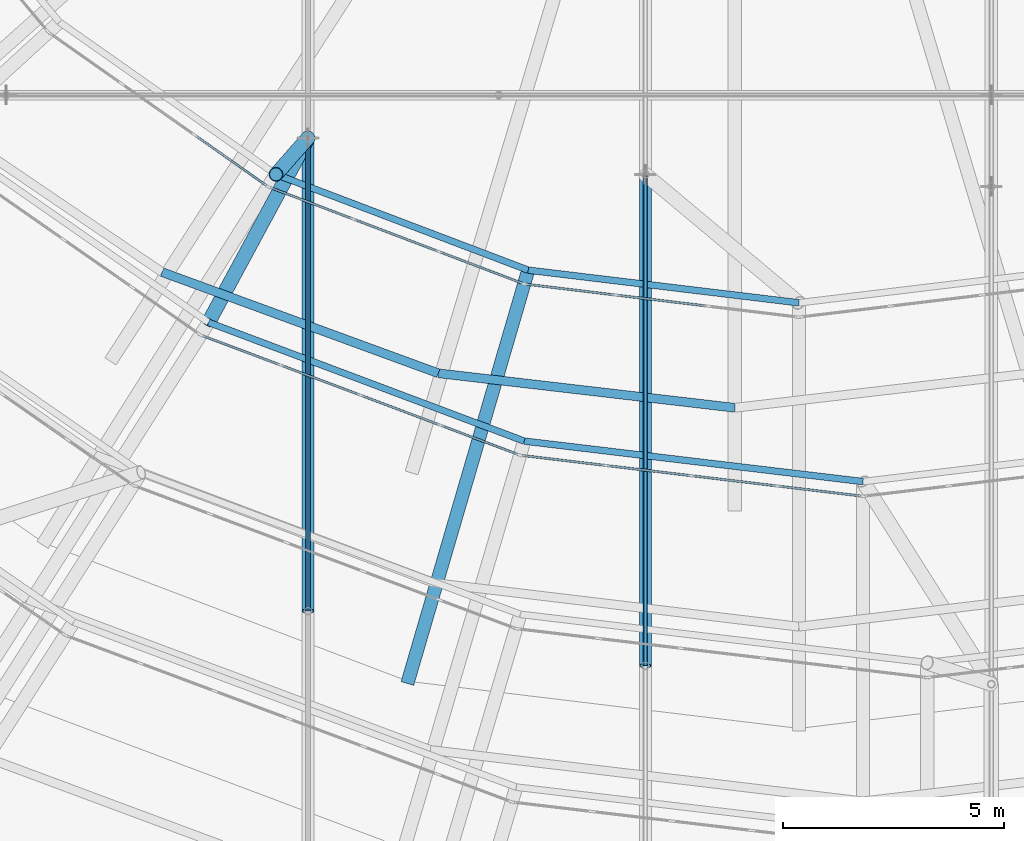
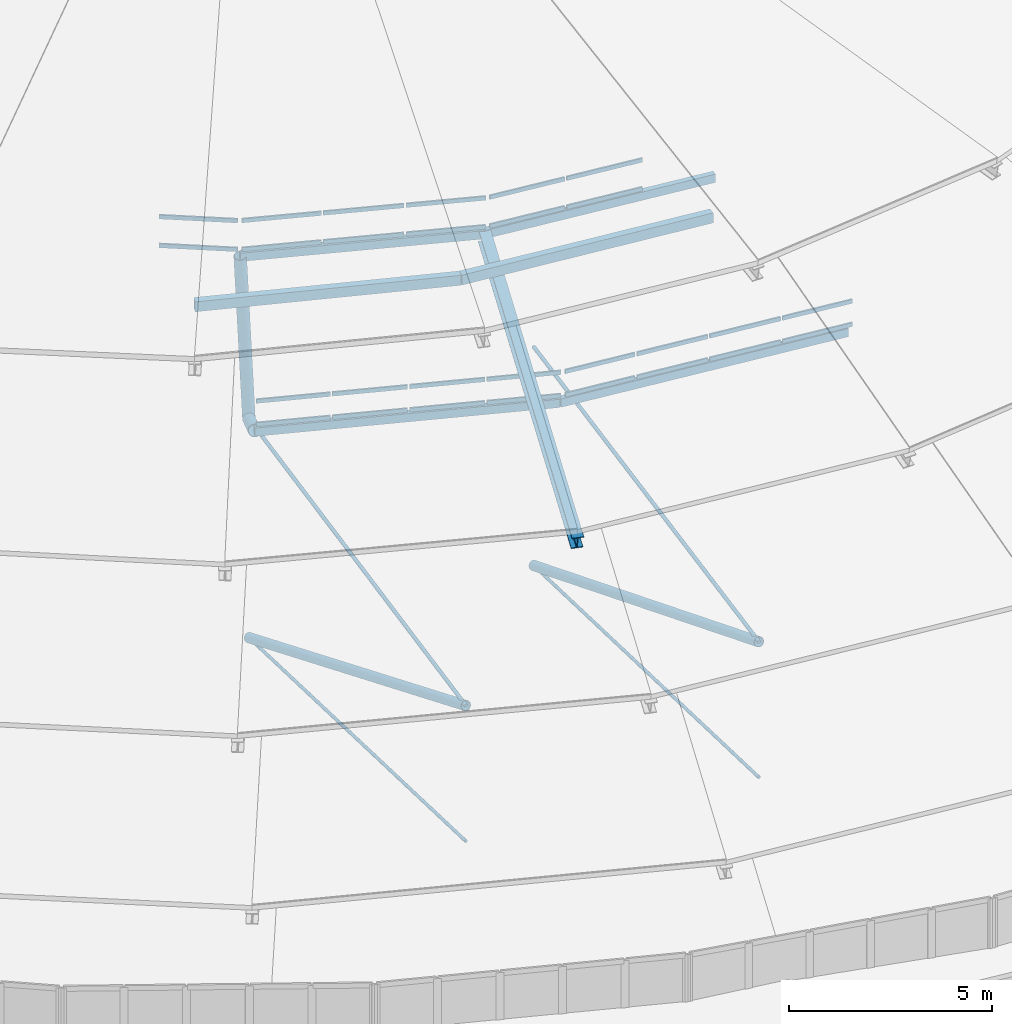
# One storey, part 17 of 173: 43 members, 5 elements without a shape of their own.
"""IFC4 building model written with IfcOpenShell, lengths in metres."""

from ifc_helpers import new_model, si_unit, direction, frame, origin, origin_2d, place, context, subcontext, project, spatial, rectangle, hollow_rectangle, circle, hollow_circle, i_section, extrude, material, material_profile, profile_set, type_object, element, aggregate, save


model = new_model("IFC4")

# Units and contexts
model_context = context("Model", 3, precision=1e-05, world=origin(), true_north=direction((0.0, 1.0)))
body_context = subcontext(model_context, "Body", "Model", "MODEL_VIEW")
ifc_project = project(units=[si_unit("LENGTHUNIT", "METRE"), si_unit("AREAUNIT", "SQUARE_METRE"), si_unit("VOLUMEUNIT", "CUBIC_METRE"), si_unit("PLANEANGLEUNIT", "RADIAN"), si_unit("MASSUNIT", "GRAM", prefix="KILO")], contexts=[model_context])

# Site, building, storey
site_placement = place(None, origin())
site = spatial("IfcSite", under=ifc_project, at=site_placement, CompositionType="ELEMENT")
building_placement = place(site_placement, origin())
building = spatial("IfcBuilding", under=site, at=building_placement, Name="Glasvene Arena", CompositionType="ELEMENT")
storey_placement = place(building_placement, frame((0.0, 0.0, 28.800048828125)))
storey = spatial("IfcBuildingStorey", under=building, at=storey_placement, Name="RF", CompositionType="ELEMENT", Elevation=28.800048828125)

# Curtain wall, members
ifc_material_1 = material(Name="Low-emissivity laminated double glazing", Category="glass")
curtain_wall_type_1 = type_object("IfcCurtainWallType", Name="CW-PET3-772x75", PredefinedType="USERDEFINED", material=ifc_material_1)
curtain_wall_1_placement = place(storey_placement, frame((74.125, 47.14404296875, 0.0)))
curtain_wall_1 = element("IfcCurtainWall", 1, at=curtain_wall_1_placement, inside=storey, type_object=curtain_wall_type_1, Name="Petal ring 3-4 clerestory curtain wall 17", ObjectType="CURTAIN WALL", PredefinedType="USERDEFINED")
ifc_material_2 = material(Name="Anodised architectural aluminium", Category="aluminium")
ifc_material_profile_1 = material_profile(ifc_material_2, rectangle(XDim=0.050048828125, YDim=0.1201171875, at=origin_2d()), Name="ALU TRANSOM 50x120")
ifc_profile_set_1 = profile_set([ifc_material_profile_1], Name="Anodised architectural aluminium")
member_type_1 = type_object("IfcMemberType", Name="CW-TRN-120", PredefinedType="USERDEFINED", material=ifc_profile_set_1)
member_1_placement = place(storey_placement, frame((74.171875, 47.12646484375, 7.85498046875), z_axis=(0.935977011072, -0.352061123591, 0.0), x_axis=(0.352061123591, 0.935977011072, 0.0)))
member_1 = element("IfcMember", 2, at=member_1_placement, type_object=member_type_1, Name="CW-097 transom 1.1", ObjectType="TRANSOM", PredefinedType="USERDEFINED", context=body_context, shape_type="SweptSolid", body=[
    extrude(rectangle(XDim=0.050048828125, YDim=0.1201171875, at=origin_2d()), origin(), (0.0, 0.0, 1.0), 1.854248046875),
])
member_2_placement = place(storey_placement, frame((74.171875, 47.12646484375, 8.554931640625), z_axis=(0.935977011072, -0.352061123591, 0.0), x_axis=(0.352061123591, 0.935977011072, 0.0)))
member_2 = element("IfcMember", 3, at=member_2_placement, type_object=member_type_1, Name="CW-097 transom 1.2", ObjectType="TRANSOM", PredefinedType="USERDEFINED", context=body_context, shape_type="SweptSolid", body=[
    extrude(rectangle(XDim=0.050048828125, YDim=0.1201171875, at=origin_2d()), origin(), (0.0, 0.0, 1.0), 1.854248046875),
])
member_3_placement = place(storey_placement, frame((75.954345703125, 46.4560546875, 7.85498046875), z_axis=(0.935938896958, -0.35216243576, 0.0), x_axis=(0.35216243576, 0.935938896958, 0.0)))
member_3 = element("IfcMember", 4, at=member_3_placement, type_object=member_type_1, Name="CW-097 transom 2.1", ObjectType="TRANSOM", PredefinedType="USERDEFINED", context=body_context, shape_type="SweptSolid", body=[
    extrude(rectangle(XDim=0.050048828125, YDim=0.1201171875, at=origin_2d()), origin(), (0.0, 0.0, 1.0), 1.87939453125),
])
member_4_placement = place(storey_placement, frame((75.954345703125, 46.4560546875, 8.554931640625), z_axis=(0.935938896958, -0.35216243576, 0.0), x_axis=(0.35216243576, 0.935938896958, 0.0)))
member_4 = element("IfcMember", 5, at=member_4_placement, type_object=member_type_1, Name="CW-097 transom 2.2", ObjectType="TRANSOM", PredefinedType="USERDEFINED", context=body_context, shape_type="SweptSolid", body=[
    extrude(rectangle(XDim=0.050048828125, YDim=0.1201171875, at=origin_2d()), origin(), (0.0, 0.0, 1.0), 1.87939453125),
])
member_5_placement = place(storey_placement, frame((77.760009765625, 45.776611328125, 7.85498046875), z_axis=(0.935981707796, -0.352048636798, 0.0), x_axis=(0.352048636798, 0.935981707796, 0.0)))
member_5 = element("IfcMember", 6, at=member_5_placement, type_object=member_type_1, Name="CW-097 transom 3.1", ObjectType="TRANSOM", PredefinedType="USERDEFINED", context=body_context, shape_type="SweptSolid", body=[
    extrude(rectangle(XDim=0.050048828125, YDim=0.1201171875, at=origin_2d()), origin(), (0.0, 0.0, 1.0), 1.87939453125),
])
member_6_placement = place(storey_placement, frame((77.760009765625, 45.776611328125, 8.554931640625), z_axis=(0.935981707796, -0.352048636798, 0.0), x_axis=(0.352048636798, 0.935981707796, 0.0)))
member_6 = element("IfcMember", 7, at=member_6_placement, type_object=member_type_1, Name="CW-097 transom 3.2", ObjectType="TRANSOM", PredefinedType="USERDEFINED", context=body_context, shape_type="SweptSolid", body=[
    extrude(rectangle(XDim=0.050048828125, YDim=0.1201171875, at=origin_2d()), origin(), (0.0, 0.0, 1.0), 1.87939453125),
])
member_7_placement = place(storey_placement, frame((79.56591796875, 45.097412109375, 7.85498046875), z_axis=(0.935933620946, -0.352176457452, 0.0), x_axis=(0.352176457452, 0.935933620946, 0.0)))
member_7 = element("IfcMember", 8, at=member_7_placement, type_object=member_type_1, Name="CW-097 transom 4.1", ObjectType="TRANSOM", PredefinedType="USERDEFINED", context=body_context, shape_type="SweptSolid", body=[
    extrude(rectangle(XDim=0.050048828125, YDim=0.1201171875, at=origin_2d()), origin(), (0.0, 0.0, 1.0), 1.8544921875),
])
member_8_placement = place(storey_placement, frame((79.56591796875, 45.097412109375, 8.554931640625), z_axis=(0.935933620946, -0.352176457452, 0.0), x_axis=(0.352176457452, 0.935933620946, 0.0)))
member_8 = element("IfcMember", 9, at=member_8_placement, type_object=member_type_1, Name="CW-097 transom 4.2", ObjectType="TRANSOM", PredefinedType="USERDEFINED", context=body_context, shape_type="SweptSolid", body=[
    extrude(rectangle(XDim=0.050048828125, YDim=0.1201171875, at=origin_2d()), origin(), (0.0, 0.0, 1.0), 1.8544921875),
])
aggregate(curtain_wall_1, [member_1, member_2, member_3, member_4, member_5, member_6, member_7, member_8])

curtain_wall_type_2 = type_object("IfcCurtainWallType", Name="CW-PET3-781x75", PredefinedType="USERDEFINED", material=ifc_material_1)
curtain_wall_2_placement = place(storey_placement, frame((81.348388671875, 44.4267578125, 0.0)))
curtain_wall_2 = element("IfcCurtainWall", 10, at=curtain_wall_2_placement, inside=storey, type_object=curtain_wall_type_2, Name="Petal ring 3-4 clerestory curtain wall 18", ObjectType="CURTAIN WALL", PredefinedType="USERDEFINED")
member_9_placement = place(storey_placement, frame((81.39794921875, 44.4208984375, 7.85498046875), z_axis=(0.992922315442, -0.118765632647, 0.0), x_axis=(0.118765632647, 0.992922315442, 0.0)))
member_9 = element("IfcMember", 11, at=member_9_placement, type_object=member_type_1, Name="CW-098 transom 1.1", ObjectType="TRANSOM", PredefinedType="USERDEFINED", context=body_context, shape_type="SweptSolid", body=[
    extrude(rectangle(XDim=0.050048828125, YDim=0.1201171875, at=origin_2d()), origin(), (0.0, 0.0, 1.0), 1.876708984375),
])
member_10_placement = place(storey_placement, frame((81.39794921875, 44.4208984375, 8.554931640625), z_axis=(0.992922315442, -0.118765632647, 0.0), x_axis=(0.118765632647, 0.992922315442, 0.0)))
member_10 = element("IfcMember", 12, at=member_10_placement, type_object=member_type_1, Name="CW-098 transom 1.2", ObjectType="TRANSOM", PredefinedType="USERDEFINED", context=body_context, shape_type="SweptSolid", body=[
    extrude(rectangle(XDim=0.050048828125, YDim=0.1201171875, at=origin_2d()), origin(), (0.0, 0.0, 1.0), 1.876708984375),
])
member_11_placement = place(storey_placement, frame((83.31103515625, 44.192138671875, 7.85498046875), z_axis=(0.992925349417, -0.118740264798, 0.0), x_axis=(0.118740264798, 0.992925349417, 0.0)))
member_11 = element("IfcMember", 13, at=member_11_placement, type_object=member_type_1, Name="CW-098 transom 2.1", ObjectType="TRANSOM", PredefinedType="USERDEFINED", context=body_context, shape_type="SweptSolid", body=[
    extrude(rectangle(XDim=0.050048828125, YDim=0.1201171875, at=origin_2d()), origin(), (0.0, 0.0, 1.0), 1.90185546875),
])
member_12_placement = place(storey_placement, frame((83.31103515625, 44.192138671875, 8.554931640625), z_axis=(0.992925349417, -0.118740264798, 0.0), x_axis=(0.118740264798, 0.992925349417, 0.0)))
member_12 = element("IfcMember", 14, at=member_12_placement, type_object=member_type_1, Name="CW-098 transom 2.2", ObjectType="TRANSOM", PredefinedType="USERDEFINED", context=body_context, shape_type="SweptSolid", body=[
    extrude(rectangle(XDim=0.050048828125, YDim=0.1201171875, at=origin_2d()), origin(), (0.0, 0.0, 1.0), 1.90185546875),
])
member_13_placement = place(storey_placement, frame((85.2490234375, 43.96044921875, 7.85498046875), z_axis=(0.992923539181, -0.118755401311, 0.0), x_axis=(0.118755401311, 0.992923539181, 0.0)))
member_13 = element("IfcMember", 15, at=member_13_placement, type_object=member_type_1, Name="CW-098 transom 3.1", ObjectType="TRANSOM", PredefinedType="USERDEFINED", context=body_context, shape_type="SweptSolid", body=[
    extrude(rectangle(XDim=0.050048828125, YDim=0.1201171875, at=origin_2d()), origin(), (0.0, 0.0, 1.0), 1.901611328125),
])
member_14_placement = place(storey_placement, frame((85.2490234375, 43.96044921875, 8.554931640625), z_axis=(0.992923539181, -0.118755401311, 0.0), x_axis=(0.118755401311, 0.992923539181, 0.0)))
member_14 = element("IfcMember", 16, at=member_14_placement, type_object=member_type_1, Name="CW-098 transom 3.2", ObjectType="TRANSOM", PredefinedType="USERDEFINED", context=body_context, shape_type="SweptSolid", body=[
    extrude(rectangle(XDim=0.050048828125, YDim=0.1201171875, at=origin_2d()), origin(), (0.0, 0.0, 1.0), 1.901611328125),
])
member_15_placement = place(storey_placement, frame((87.18701171875, 43.728759765625, 7.85498046875), z_axis=(0.992920480232, -0.11878097464, 0.0), x_axis=(0.11878097464, 0.992920480232, 0.0)))
member_15 = element("IfcMember", 17, at=member_15_placement, type_object=member_type_1, Name="CW-098 transom 4.1", ObjectType="TRANSOM", PredefinedType="USERDEFINED", context=body_context, shape_type="SweptSolid", body=[
    extrude(rectangle(XDim=0.050048828125, YDim=0.1201171875, at=origin_2d()), origin(), (0.0, 0.0, 1.0), 1.87646484375),
])
member_16_placement = place(storey_placement, frame((87.18701171875, 43.728759765625, 8.554931640625), z_axis=(0.992920480232, -0.11878097464, 0.0), x_axis=(0.11878097464, 0.992920480232, 0.0)))
member_16 = element("IfcMember", 18, at=member_16_placement, type_object=member_type_1, Name="CW-098 transom 4.2", ObjectType="TRANSOM", PredefinedType="USERDEFINED", context=body_context, shape_type="SweptSolid", body=[
    extrude(rectangle(XDim=0.050048828125, YDim=0.1201171875, at=origin_2d()), origin(), (0.0, 0.0, 1.0), 1.87646484375),
])
aggregate(curtain_wall_2, [member_9, member_10, member_11, member_12, member_13, member_14, member_15, member_16])

curtain_wall_type_3 = type_object("IfcCurtainWallType", Name="CW-PET4-608x92", PredefinedType="USERDEFINED", material=ifc_material_1)
curtain_wall_3_placement = place(storey_placement, frame((70.679443359375, 53.99365234375, 0.0)))
curtain_wall_3 = element("IfcCurtainWall", 19, at=curtain_wall_3_placement, inside=storey, type_object=curtain_wall_type_3, Name="Petal ring 4-5 clerestory curtain wall 16", ObjectType="CURTAIN WALL", PredefinedType="USERDEFINED")
member_17_placement = place(storey_placement, frame((74.013671875, 51.6484375, 10.554931640625), z_axis=(0.81790676282, -0.575350786333, 0.0), x_axis=(0.575350786333, 0.81790676282, 0.0)))
member_17 = element("IfcMember", 20, at=member_17_placement, type_object=member_type_1, Name="CW-102 transom 3.1", ObjectType="TRANSOM", PredefinedType="USERDEFINED", context=body_context, shape_type="SweptSolid", body=[
    extrude(rectangle(XDim=0.050048828125, YDim=0.1201171875, at=origin_2d()), origin(), (0.0, 0.0, 1.0), 1.95068359375),
])
member_18_placement = place(storey_placement, frame((74.013671875, 51.6484375, 11.4208984375), z_axis=(0.81790676282, -0.575350786333, 0.0), x_axis=(0.575350786333, 0.81790676282, 0.0)))
member_18 = element("IfcMember", 21, at=member_18_placement, type_object=member_type_1, Name="CW-102 transom 3.2", ObjectType="TRANSOM", PredefinedType="USERDEFINED", context=body_context, shape_type="SweptSolid", body=[
    extrude(rectangle(XDim=0.050048828125, YDim=0.1201171875, at=origin_2d()), origin(), (0.0, 0.0, 1.0), 1.95068359375),
])
aggregate(curtain_wall_3, [member_17, member_18])

curtain_wall_type_4 = type_object("IfcCurtainWallType", Name="CW-PET4-619x92", PredefinedType="USERDEFINED", material=ifc_material_1)
curtain_wall_4_placement = place(storey_placement, frame((75.64990234375, 50.497314453125, 0.0)))
curtain_wall_4 = element("IfcCurtainWall", 22, at=curtain_wall_4_placement, inside=storey, type_object=curtain_wall_type_4, Name="Petal ring 4-5 clerestory curtain wall 17", ObjectType="CURTAIN WALL", PredefinedType="USERDEFINED")
member_19_placement = place(storey_placement, frame((75.69677734375, 50.479736328125, 10.554931640625), z_axis=(0.934868333805, -0.354994645662, 0.0), x_axis=(0.354994645662, 0.934868333805, 0.0)))
member_19 = element("IfcMember", 23, at=member_19_placement, type_object=member_type_1, Name="CW-103 transom 1.1", ObjectType="TRANSOM", PredefinedType="USERDEFINED", context=body_context, shape_type="SweptSolid", body=[
    extrude(rectangle(XDim=0.050048828125, YDim=0.1201171875, at=origin_2d()), origin(), (0.0, 0.0, 1.0), 1.989013671875),
])
member_20_placement = place(storey_placement, frame((75.69677734375, 50.479736328125, 11.4208984375), z_axis=(0.934868333805, -0.354994645662, 0.0), x_axis=(0.354994645662, 0.934868333805, 0.0)))
member_20 = element("IfcMember", 24, at=member_20_placement, type_object=member_type_1, Name="CW-103 transom 1.2", ObjectType="TRANSOM", PredefinedType="USERDEFINED", context=body_context, shape_type="SweptSolid", body=[
    extrude(rectangle(XDim=0.050048828125, YDim=0.1201171875, at=origin_2d()), origin(), (0.0, 0.0, 1.0), 1.989013671875),
])
member_21_placement = place(storey_placement, frame((77.602783203125, 49.755859375, 10.554931640625), z_axis=(0.934886588793, -0.354946567944, 0.0), x_axis=(0.354946567944, 0.934886588793, 0.0)))
member_21 = element("IfcMember", 25, at=member_21_placement, type_object=member_type_1, Name="CW-103 transom 2.1", ObjectType="TRANSOM", PredefinedType="USERDEFINED", context=body_context, shape_type="SweptSolid", body=[
    extrude(rectangle(XDim=0.050048828125, YDim=0.1201171875, at=origin_2d()), origin(), (0.0, 0.0, 1.0), 2.013916015625),
])
member_22_placement = place(storey_placement, frame((77.602783203125, 49.755859375, 11.4208984375), z_axis=(0.934886588793, -0.354946567944, 0.0), x_axis=(0.354946567944, 0.934886588793, 0.0)))
member_22 = element("IfcMember", 26, at=member_22_placement, type_object=member_type_1, Name="CW-103 transom 2.2", ObjectType="TRANSOM", PredefinedType="USERDEFINED", context=body_context, shape_type="SweptSolid", body=[
    extrude(rectangle(XDim=0.050048828125, YDim=0.1201171875, at=origin_2d()), origin(), (0.0, 0.0, 1.0), 2.013916015625),
])
member_23_placement = place(storey_placement, frame((79.5322265625, 49.0234375, 10.554931640625), z_axis=(0.934868333805, -0.354994645662, 0.0), x_axis=(0.354994645662, 0.934868333805, 0.0)))
member_23 = element("IfcMember", 27, at=member_23_placement, type_object=member_type_1, Name="CW-103 transom 3.1", ObjectType="TRANSOM", PredefinedType="USERDEFINED", context=body_context, shape_type="SweptSolid", body=[
    extrude(rectangle(XDim=0.050048828125, YDim=0.1201171875, at=origin_2d()), origin(), (0.0, 0.0, 1.0), 1.989013671875),
])
member_24_placement = place(storey_placement, frame((79.5322265625, 49.0234375, 11.4208984375), z_axis=(0.934868333805, -0.354994645662, 0.0), x_axis=(0.354994645662, 0.934868333805, 0.0)))
member_24 = element("IfcMember", 28, at=member_24_placement, type_object=member_type_1, Name="CW-103 transom 3.2", ObjectType="TRANSOM", PredefinedType="USERDEFINED", context=body_context, shape_type="SweptSolid", body=[
    extrude(rectangle(XDim=0.050048828125, YDim=0.1201171875, at=origin_2d()), origin(), (0.0, 0.0, 1.0), 1.989013671875),
])
aggregate(curtain_wall_4, [member_19, member_20, member_21, member_22, member_23, member_24])

curtain_wall_type_5 = type_object("IfcCurtainWallType", Name="CW-PET4-626x92", PredefinedType="USERDEFINED", material=ifc_material_1)
curtain_wall_5_placement = place(storey_placement, frame((81.438232421875, 48.299560546875, 0.0)))
curtain_wall_5 = element("IfcCurtainWall", 29, at=curtain_wall_5_placement, inside=storey, type_object=curtain_wall_type_5, Name="Petal ring 4-5 clerestory curtain wall 18", ObjectType="CURTAIN WALL", PredefinedType="USERDEFINED")
member_25_placement = place(storey_placement, frame((81.488037109375, 48.293701171875, 10.554931640625), z_axis=(0.992792125949, -0.119849049451, 0.0), x_axis=(0.119849049451, 0.992792125949, 0.0)))
member_25 = element("IfcMember", 30, at=member_25_placement, type_object=member_type_1, Name="CW-104 transom 1.1", ObjectType="TRANSOM", PredefinedType="USERDEFINED", context=body_context, shape_type="SweptSolid", body=[
    extrude(rectangle(XDim=0.050048828125, YDim=0.1201171875, at=origin_2d()), origin(), (0.0, 0.0, 1.0), 2.010498046875),
])
member_26_placement = place(storey_placement, frame((81.488037109375, 48.293701171875, 11.4208984375), z_axis=(0.992792125949, -0.119849049451, 0.0), x_axis=(0.119849049451, 0.992792125949, 0.0)))
member_26 = element("IfcMember", 31, at=member_26_placement, type_object=member_type_1, Name="CW-104 transom 1.2", ObjectType="TRANSOM", PredefinedType="USERDEFINED", context=body_context, shape_type="SweptSolid", body=[
    extrude(rectangle(XDim=0.050048828125, YDim=0.1201171875, at=origin_2d()), origin(), (0.0, 0.0, 1.0), 2.010498046875),
])
member_27_placement = place(storey_placement, frame((83.53369140625, 48.046630859375, 10.554931640625), z_axis=(0.992810855835, -0.119693794893, 0.0), x_axis=(0.119693794893, 0.992810855835, 0.0)))
member_27 = element("IfcMember", 32, at=member_27_placement, type_object=member_type_1, Name="CW-104 transom 2.1", ObjectType="TRANSOM", PredefinedType="USERDEFINED", context=body_context, shape_type="SweptSolid", body=[
    extrude(rectangle(XDim=0.050048828125, YDim=0.1201171875, at=origin_2d()), origin(), (0.0, 0.0, 1.0), 2.03564453125),
])
member_28_placement = place(storey_placement, frame((83.53369140625, 48.046630859375, 11.4208984375), z_axis=(0.992810855835, -0.119693794893, 0.0), x_axis=(0.119693794893, 0.992810855835, 0.0)))
member_28 = element("IfcMember", 33, at=member_28_placement, type_object=member_type_1, Name="CW-104 transom 2.2", ObjectType="TRANSOM", PredefinedType="USERDEFINED", context=body_context, shape_type="SweptSolid", body=[
    extrude(rectangle(XDim=0.050048828125, YDim=0.1201171875, at=origin_2d()), origin(), (0.0, 0.0, 1.0), 2.03564453125),
])
aggregate(curtain_wall_5, [member_25, member_26, member_27, member_28])

# Members
ifc_material_3 = material(Name="High-strength steel spiral strand S460", Category="steel")
ifc_material_profile_2 = material_profile(ifc_material_3, circle(Radius=0.052490234375, at=origin_2d()), Name="LCSS D105")
ifc_profile_set_2 = profile_set([ifc_material_profile_2], Name="High-strength steel spiral strand S460")
member_type_2 = type_object("IfcMemberType", Name="MB-CABLE-105", PredefinedType="USERDEFINED", material=ifc_profile_set_2)
member_29_placement = place(storey_placement, frame((84.17822265625, 39.66552734375, 2.328857421875), z_axis=(0.0, 0.981888230216, 0.189461086673), x_axis=(-1.0, 0.0, 0.0)))
element("IfcMember", 34, at=member_29_placement, inside=storey, type_object=member_type_2, Name="Upper lens roof cable NS06-02", ObjectType="ROOF CABLE", PredefinedType="USERDEFINED", context=body_context, shape_type="SweptSolid", body=[
    extrude(circle(Radius=0.052490234375, at=origin_2d()), origin(), (0.0, 0.0, 1.0), 11.316650390625),
])
member_30_placement = place(storey_placement, frame((76.54931640625, 40.90185546875, 2.328857421875), z_axis=(0.0, 0.980507464191, 0.196481838004), x_axis=(-1.0, 0.0, 0.0)))
element("IfcMember", 35, at=member_30_placement, inside=storey, type_object=member_type_2, Name="Upper lens roof cable NS07-02", ObjectType="ROOF CABLE", PredefinedType="USERDEFINED", context=body_context, shape_type="SweptSolid", body=[
    extrude(circle(Radius=0.052490234375, at=origin_2d()), origin(), (0.0, 0.0, 1.0), 10.912109375),
])
ifc_material_profile_3 = material_profile(ifc_material_3, circle(Radius=0.044921875, at=origin_2d()), Name="LCSS D90")
ifc_profile_set_3 = profile_set([ifc_material_profile_3], Name="High-strength steel spiral strand S460")
member_type_3 = type_object("IfcMemberType", Name="MB-CABLE-90", PredefinedType="USERDEFINED", material=ifc_profile_set_3)
member_31_placement = place(storey_placement, frame((84.17822265625, 39.66552734375, -1.753173828125), z_axis=(0.0, 0.999477394294, -0.032325505337), x_axis=(-1.0, 0.0, 0.0)))
element("IfcMember", 36, at=member_31_placement, inside=storey, type_object=member_type_3, Name="Lower stabilization roof cable NS06-02", ObjectType="ROOF CABLE", PredefinedType="USERDEFINED", context=body_context, shape_type="SweptSolid", body=[
    extrude(circle(Radius=0.044921875, at=origin_2d()), origin(), (0.0, 0.0, 1.0), 11.117431640625),
])
member_32_placement = place(storey_placement, frame((76.54931640625, 40.90185546875, -1.753173828125), z_axis=(0.0, 0.99943639544, -0.033569204201), x_axis=(-1.0, 0.0, 0.0)))
element("IfcMember", 37, at=member_32_placement, inside=storey, type_object=member_type_3, Name="Lower stabilization roof cable NS07-02", ObjectType="ROOF CABLE", PredefinedType="USERDEFINED", context=body_context, shape_type="SweptSolid", body=[
    extrude(circle(Radius=0.044921875, at=origin_2d()), origin(), (0.0, 0.0, 1.0), 10.70556640625),
])
ifc_material_4 = material(Name="Steel S355J2", Category="steel")
ifc_material_profile_4 = material_profile(ifc_material_4, i_section(OverallWidth=0.300048828125, OverallDepth=0.39990234375, WebThickness=0.013427734375, FlangeThickness=0.02392578125, FilletRadius=0.027099609375, at=origin_2d()), Name="HEB 400")
ifc_profile_set_4 = profile_set([ifc_material_profile_4], Name="Steel S355J2")
member_type_4 = type_object("IfcMemberType", Name="MB-CHORD-HEB400", PredefinedType="CHORD", material=ifc_profile_set_4)
member_33_placement = place(storey_placement, frame((78.811279296875, 39.31640625, 7.39990234375), z_axis=(0.270642904797, 0.925792762829, 0.263932147298), x_axis=(-0.959827030197, 0.280592359311, 0.0)))
element("IfcMember", 38, at=member_33_placement, inside=storey, type_object=member_type_4, Name="Petal ring 4 radial rib 18", PredefinedType="CHORD", context=body_context, shape_type="SweptSolid", body=[
    extrude(i_section(OverallWidth=0.300048828125, OverallDepth=0.39990234375, WebThickness=0.013427734375, FlangeThickness=0.02392578125, FilletRadius=0.027099609375, at=origin_2d()), origin(), (0.0, 0.0, 1.0), 10.041015625),
])
ifc_material_profile_5 = material_profile(ifc_material_4, hollow_circle(Radius=0.161865234375, WallThickness=0.01611328125, at=origin_2d()), Name="CHS 323.9x16.0")
ifc_profile_set_5 = profile_set([ifc_material_profile_5], Name="Steel S355J2")
member_type_5 = type_object("IfcMemberType", Name="MB-POST-CHS324", PredefinedType="BRACE", material=ifc_profile_set_5)
member_34_placement = place(storey_placement, frame((76.54931640625, 51.601318359375, 4.472900390625), z_axis=(-0.402637591184, -0.74653808017, 0.529682796608), x_axis=(0.88014827458, -0.474698867446, 0.0)))
element("IfcMember", 39, at=member_34_placement, inside=storey, type_object=member_type_5, Name="Petal ring 3 ridge support post 17", PredefinedType="BRACE", context=body_context, shape_type="SweptSolid", body=[
    extrude(hollow_circle(Radius=0.161865234375, WallThickness=0.01611328125, at=origin_2d()), origin(), (0.0, 0.0, 1.0), 5.58642578125),
])
member_35_placement = place(storey_placement, frame((76.54931640625, 51.601318359375, 4.472900390625), z_axis=(-0.125665494249, -0.142861379205, 0.981732555173), x_axis=(0.750850396535, -0.660472317379, 0.0)))
element("IfcMember", 40, at=member_35_placement, inside=storey, type_object=member_type_5, Name="Petal ring 4 ridge support post 17", PredefinedType="BRACE", context=body_context, shape_type="SweptSolid", body=[
    extrude(hollow_circle(Radius=0.161865234375, WallThickness=0.01611328125, at=origin_2d()), origin(), (0.0, 0.0, 1.0), 5.76416015625),
])
ifc_material_profile_6 = material_profile(ifc_material_4, hollow_rectangle(XDim=0.14990234375, YDim=0.25, WallThickness=0.010009765625, at=origin_2d()), Name="RHS 250x150x10.0")
ifc_profile_set_6 = profile_set([ifc_material_profile_6], Name="Steel S355J2")
member_type_6 = type_object("IfcMemberType", Name="MB-PURLIN-RHS250", PredefinedType="PURLIN", material=ifc_profile_set_6)
member_36_placement = place(storey_placement, frame((74.300048828125, 47.430908203125, 7.431884765625), z_axis=(0.936017035624, -0.3519546974, 0.0), x_axis=(0.3519546974, 0.936017035624, 0.0)))
element("IfcMember", 41, at=member_36_placement, inside=storey, type_object=member_type_6, Name="Petal ring 3 ridge purlin 17", PredefinedType="PURLIN", context=body_context, shape_type="SweptSolid", body=[
    extrude(hollow_rectangle(XDim=0.14990234375, YDim=0.25, WallThickness=0.010009765625, at=origin_2d()), origin(), (0.0, 0.0, 1.0), 7.626953125),
])
member_37_placement = place(storey_placement, frame((81.43896484375, 44.74658203125, 7.431884765625), z_axis=(0.992938840373, -0.118627396831, 0.0), x_axis=(0.118627396831, 0.992938840373, 0.0)))
element("IfcMember", 42, at=member_37_placement, inside=storey, type_object=member_type_6, Name="Petal ring 3 ridge purlin 18", PredefinedType="PURLIN", context=body_context, shape_type="SweptSolid", body=[
    extrude(hollow_rectangle(XDim=0.14990234375, YDim=0.25, WallThickness=0.010009765625, at=origin_2d()), origin(), (0.0, 0.0, 1.0), 7.715576171875),
])
member_38_placement = place(storey_placement, frame((75.824951171875, 50.77783203125, 10.1318359375), z_axis=(0.934889040634, -0.354940110021, 0.0), x_axis=(0.354940110021, 0.934889040634, 0.0)))
element("IfcMember", 43, at=member_38_placement, inside=storey, type_object=member_type_6, Name="Petal ring 4 ridge purlin 17", PredefinedType="PURLIN", context=body_context, shape_type="SweptSolid", body=[
    extrude(hollow_rectangle(XDim=0.14990234375, YDim=0.25, WallThickness=0.010009765625, at=origin_2d()), origin(), (0.0, 0.0, 1.0), 6.10107421875),
])
member_39_placement = place(storey_placement, frame((81.52880859375, 48.6123046875, 10.1318359375), z_axis=(0.992799997938, -0.119783822342, 0.0), x_axis=(0.119783822342, 0.992799997938, 0.0)))
element("IfcMember", 44, at=member_39_placement, inside=storey, type_object=member_type_6, Name="Petal ring 4 ridge purlin 18", PredefinedType="PURLIN", context=body_context, shape_type="SweptSolid", body=[
    extrude(hollow_rectangle(XDim=0.14990234375, YDim=0.25, WallThickness=0.010009765625, at=origin_2d()), origin(), (0.0, 0.0, 1.0), 6.16552734375),
])
ifc_material_profile_7 = material_profile(ifc_material_4, hollow_rectangle(XDim=0.199951171875, YDim=0.300048828125, WallThickness=0.012451171875, at=origin_2d()), Name="RHS 300x200x12.5")
ifc_profile_set_7 = profile_set([ifc_material_profile_7], Name="Steel S355J2")
member_type_7 = type_object("IfcMemberType", Name="MB-PURLIN-RHS300", PredefinedType="PURLIN", material=ifc_profile_set_7)
member_40_placement = place(storey_placement, frame((73.25, 48.568115234375, 10.9013671875), z_axis=(0.939001198731, -0.34391386826, 0.0), x_axis=(0.34391386826, 0.939001198731, 0.0)))
element("IfcMember", 45, at=member_40_placement, inside=storey, type_object=member_type_7, Name="Petal ring 5 outer purlin 17", PredefinedType="PURLIN", context=body_context, shape_type="SweptSolid", body=[
    extrude(hollow_rectangle(XDim=0.199951171875, YDim=0.300048828125, WallThickness=0.012451171875, at=origin_2d()), origin(), (0.0, 0.0, 1.0), 6.65234375),
])
member_41_placement = place(storey_placement, frame((79.49658203125, 46.2802734375, 10.9013671875), z_axis=(0.993293570606, -0.115619559735, 0.0), x_axis=(0.115619559735, 0.993293570606, 0.0)))
element("IfcMember", 46, at=member_41_placement, inside=storey, type_object=member_type_7, Name="Petal ring 5 outer purlin 18", PredefinedType="PURLIN", context=body_context, shape_type="SweptSolid", body=[
    extrude(hollow_rectangle(XDim=0.199951171875, YDim=0.300048828125, WallThickness=0.012451171875, at=origin_2d()), origin(), (0.0, 0.0, 1.0), 6.74853515625),
])
ifc_material_profile_8 = material_profile(ifc_material_4, hollow_circle(Radius=0.136474609375, WallThickness=0.012451171875, at=origin_2d()), Name="CHS 273.0x12.5")
ifc_profile_set_8 = profile_set([ifc_material_profile_8], Name="Steel S355J2")
member_type_8 = type_object("IfcMemberType", Name="MB-WEB-CHS273", PredefinedType="BRACE", material=ifc_profile_set_8)
member_42_placement = place(storey_placement, frame((84.17822265625, 39.66552734375, 2.328857421875), z_axis=(0.0, 0.928569527465, -0.371158500728), x_axis=(-1.0, 0.0, 0.0)))
element("IfcMember", 47, at=member_42_placement, inside=storey, type_object=member_type_8, Name="Cable-truss diagonal web strut NS06-02", PredefinedType="BRACE", context=body_context, shape_type="SweptSolid", body=[
    extrude(hollow_circle(Radius=0.136474609375, WallThickness=0.012451171875, at=origin_2d()), origin(), (0.0, 0.0, 1.0), 11.96630859375),
])
member_43_placement = place(storey_placement, frame((76.54931640625, 40.90185546875, 2.328857421875), z_axis=(0.0, 0.923588002787, -0.383386490512), x_axis=(-1.0, 0.0, 0.0)))
element("IfcMember", 48, at=member_43_placement, inside=storey, type_object=member_type_8, Name="Cable-truss diagonal web strut NS07-02", PredefinedType="BRACE", context=body_context, shape_type="SweptSolid", body=[
    extrude(hollow_circle(Radius=0.136474609375, WallThickness=0.012451171875, at=origin_2d()), origin(), (0.0, 0.0, 1.0), 11.584716796875),
])

save(model, "model.ifc")
